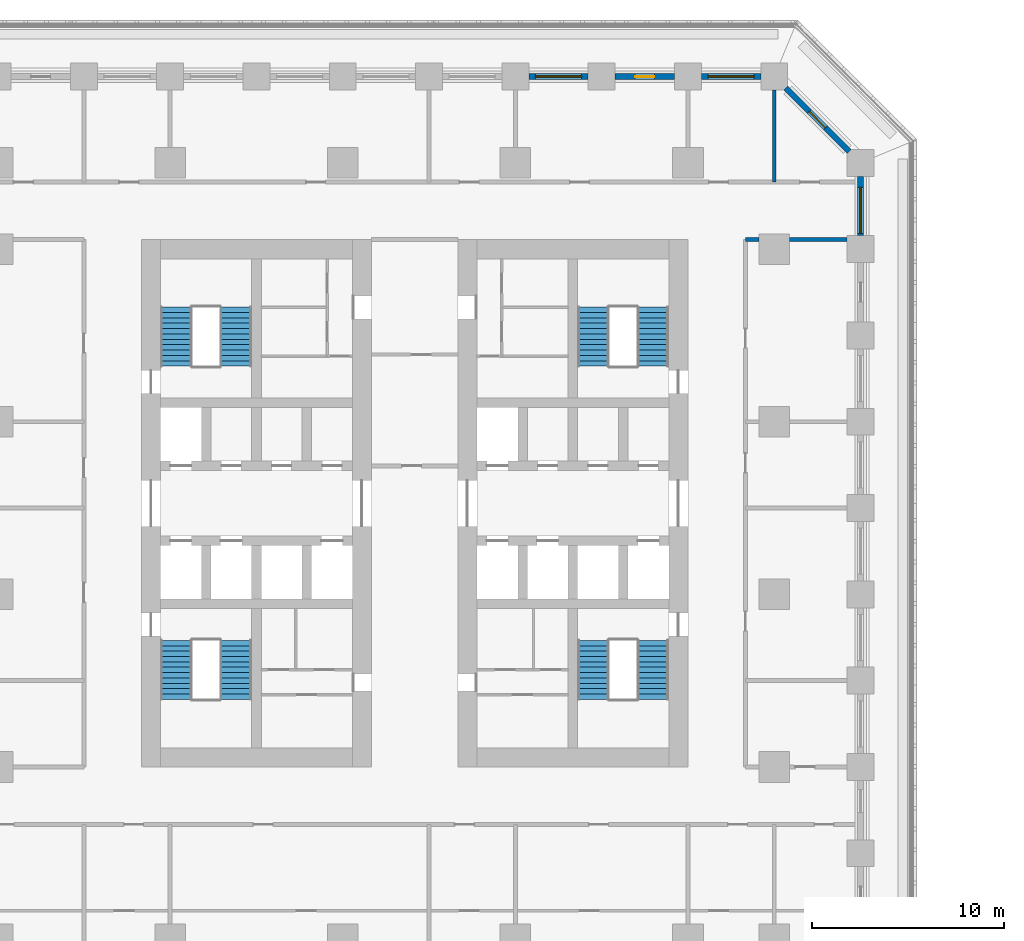
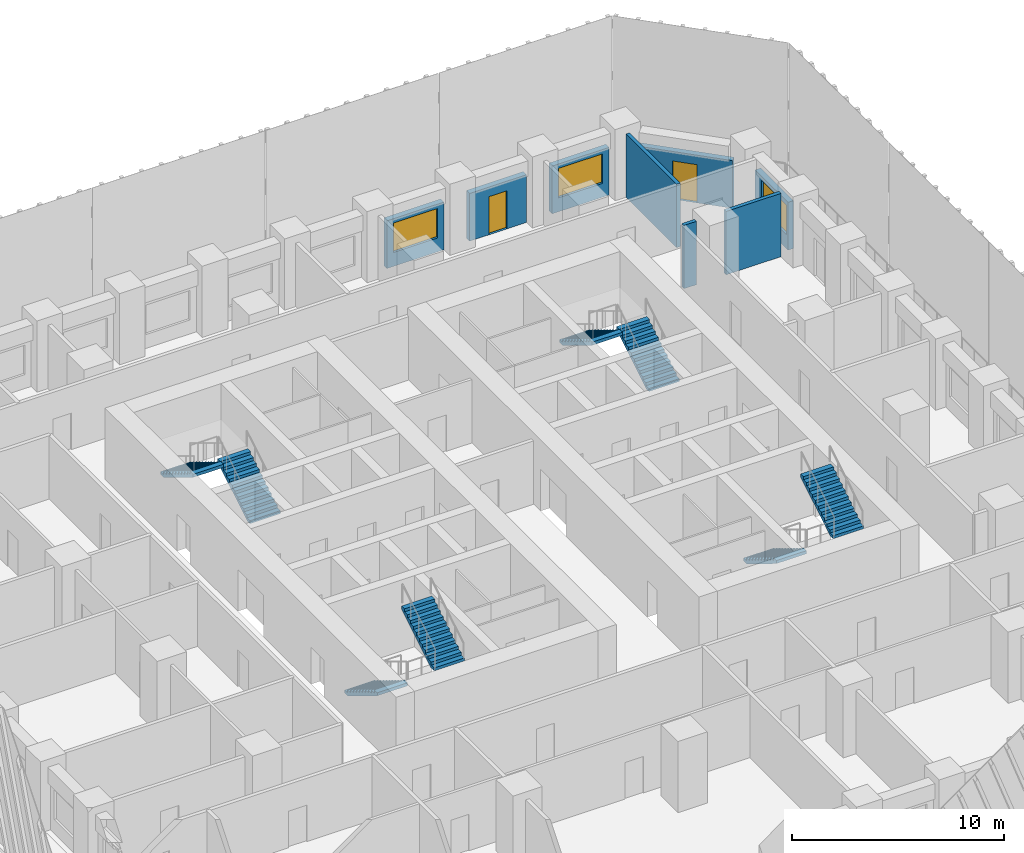
# One storey, part 9 of 15: 8 stair flights, 8 walls, 3 windows, 2 doors, 5 openings, 4 elements without a shape of their own.
"""IFC4 building model written with IfcOpenShell, lengths in metres."""

from ifc_helpers import new_model, si_unit, direction, frame, frame_2d, origin, place, context, subcontext, project, spatial, polyline, rectangle, outline, extrude, material, layer, layer_set, type_object, element, fill, aggregate, save


model = new_model("IFC4")

# Units and contexts
model_context = context("Model", 3, precision=1e-05, world=origin(), true_north=direction((0.0, 1.0)))
body_context = subcontext(model_context, "Body", "Model", "MODEL_VIEW")
ifc_project = project(units=[si_unit("LENGTHUNIT", "METRE"), si_unit("AREAUNIT", "SQUARE_METRE"), si_unit("VOLUMEUNIT", "CUBIC_METRE"), si_unit("PLANEANGLEUNIT", "RADIAN"), si_unit("MASSUNIT", "GRAM", prefix="KILO")], contexts=[model_context])

# Site, building, storey
site_placement = place(None, origin())
site = spatial("IfcSite", under=ifc_project, at=site_placement, CompositionType="ELEMENT")
building_placement = place(site_placement, origin())
building = spatial("IfcBuilding", under=site, at=building_placement, Name="Corbel Stack Research Tower", CompositionType="ELEMENT")
storey_placement = place(building_placement, frame((0.0, 0.0, 23.60009765625)))
storey = spatial("IfcBuildingStorey", under=building, at=storey_placement, Name="L05", CompositionType="ELEMENT", Elevation=23.60009765625)

# Walls
ifc_material_1 = material(Name="Fire-rated gypsum board partition on steel studs", Category="steel")
ifc_layer_1 = layer(ifc_material_1, 0.199951171875)
ifc_layer_set_1 = layer_set([ifc_layer_1], Name="Fire-rated gypsum board partition on steel studs")
wall_type_1 = type_object("IfcWallType", Name="Fire-rated partition 200 EI 60", PredefinedType="PARTITIONING", material=ifc_layer_set_1)
wall_1_placement = place(storey_placement, frame((22.5, 21.5, 0.0), z_axis=(0.0, 0.0, 1.0), x_axis=(0.0, 1.0, 0.0)))
element("IfcWall", 1, at=wall_1_placement, inside=storey, type_object=wall_type_1, Name="Partition L05-023", PredefinedType="PARTITIONING", context=body_context, shape_type="SweptSolid", body=[
    extrude(rectangle(XDim=4.800048828125, YDim=0.199951171875, at=frame_2d((2.39990234375, 0.0))), origin(), (0.0, 0.0, 1.0), 3.64990234375),
])
wall_2_placement = place(storey_placement, frame((21.0, 18.5, 0.0), z_axis=(0.0, 0.0, 1.0), x_axis=(1.0, 0.0, 0.0)))
element("IfcWall", 2, at=wall_2_placement, inside=storey, type_object=wall_type_1, Name="Partition L05-043", PredefinedType="PARTITIONING", context=body_context, shape_type="SweptSolid", body=[
    extrude(rectangle(XDim=0.699951171875, YDim=0.199951171875, at=frame_2d((0.35009765625, 0.0))), origin(), (0.0, 0.0, 1.0), 3.64990234375),
])
wall_3_placement = place(storey_placement, frame((23.300048828125, 18.5, 0.0), z_axis=(0.0, 0.0, 1.0), x_axis=(1.0, 0.0, 0.0)))
element("IfcWall", 3, at=wall_3_placement, inside=storey, type_object=wall_type_1, Name="Partition L05-044", PredefinedType="PARTITIONING", context=body_context, shape_type="SweptSolid", body=[
    extrude(rectangle(XDim=3.0, YDim=0.199951171875, at=frame_2d((1.5, 0.0))), origin(), (0.0, 0.0, 1.0), 3.64990234375),
])

# Wall, opening, window
ifc_material_2 = material(Name="Concrete C45/55", Category="concrete")
ifc_layer_2 = layer(ifc_material_2, 0.300048828125)
ifc_layer_set_2 = layer_set([ifc_layer_2], Name="Concrete C45/55")
wall_type_2 = type_object("IfcWallType", Name="Terracotta-faced concrete wall 300", PredefinedType="SOLIDWALL", material=ifc_layer_set_2)
wall_4_placement = place(storey_placement, frame((27.0, 21.800048828125, 0.0), z_axis=(0.0, 0.0, 1.0), x_axis=(0.0, -1.0, 0.0)))
wall_4 = element("IfcWall", 4, at=wall_4_placement, inside=storey, type_object=wall_type_2, Name="Facade wall L05 E10", PredefinedType="SOLIDWALL", context=body_context, shape_type="SweptSolid", body=[
    extrude(rectangle(XDim=3.10009765625, YDim=0.300048828125, at=frame_2d((1.550048828125, 0.0))), origin(), (0.0, 0.0, 1.0), 2.75),
])
opening_1_placement = place(wall_4_placement, frame((0.574951171875, 0.0, 0.800048828125)))
opening_1 = element("IfcOpeningElement", 5, at=opening_1_placement, cuts=wall_4, Name="Opening W1", PredefinedType="OPENING", context=body_context, shape_type="SweptSolid", body=[
    extrude(rectangle(XDim=2.39990234375, YDim=1.699951171875, at=frame_2d((1.199951171875, 0.85009765625))), frame((0.0, 0.159912109375, 0.0), z_axis=(0.0, -1.0, 0.0), x_axis=(1.0, 0.0, 0.0)), (0.0, 0.0, 1.0), 0.320068359375),
])
ifc_material_3 = material(Name="Aluminium frame, clear double glazing", Category="aluminium")
window_type = type_object("IfcWindowType", Name="Window W1 2400 x 1700", PartitioningType="SINGLE_PANEL", PredefinedType="WINDOW", material=ifc_material_3)
window_1_placement = place(opening_1_placement, origin())
window_1 = element("IfcWindow", 6, at=window_1_placement, inside=storey, type_object=window_type, Name="Window W1 L05 E10", OverallHeight=1.699951171875, OverallWidth=2.39990234375, PartitioningType="SINGLE_PANEL", PredefinedType="WINDOW", context=body_context, shape_type="SweptSolid", body=[
    extrude(rectangle(XDim=2.39990234375, YDim=1.699951171875, at=frame_2d((1.199951171875, 0.85009765625))), frame((0.0, 0.030029296875, 0.0), z_axis=(0.0, -1.0, 0.0), x_axis=(1.0, 0.0, 0.0)), (0.0, 0.0, 1.0), 0.06005859375),
])
fill(opening_1, window_1)

# Wall, opening, door
wall_5_placement = place(storey_placement, frame((23.093994140625, 26.406005859375, 0.0), z_axis=(0.0, 0.0, 1.0), x_axis=(0.707106781187, -0.707106781187, 0.0)))
wall_5 = element("IfcWall", 7, at=wall_5_placement, inside=storey, type_object=wall_type_2, Name="Facade wall L05 NE01", PredefinedType="SOLIDWALL", context=body_context, shape_type="SweptSolid", body=[
    extrude(rectangle(XDim=4.683837890625, YDim=0.300048828125, at=frame_2d((2.341796875, 0.0))), origin(), (0.0, 0.0, 1.0), 2.75),
])
opening_2_placement = place(wall_5_placement, frame((1.741943359375, 0.0, 0.0)))
opening_2 = element("IfcOpeningElement", 8, at=opening_2_placement, cuts=wall_5, Name="Opening L05-B06", PredefinedType="OPENING", context=body_context, shape_type="SweptSolid", body=[
    extrude(rectangle(XDim=1.199951171875, YDim=2.199951171875, at=frame_2d((0.60009765625, 1.10009765625))), frame((0.0, 0.159912109375, 0.0), z_axis=(0.0, -1.0, 0.0), x_axis=(1.0, 0.0, 0.0)), (0.0, 0.0, 1.0), 0.320068359375),
])
ifc_material_4 = material(Name="Aluminium frame, clear double glazing", Category="aluminium")
door_type_1 = type_object("IfcDoorType", Name="Balcony door BD2 1200 x 2200", OperationType="NOTDEFINED", PredefinedType="DOOR", material=ifc_material_4)
door_1_placement = place(opening_2_placement, origin())
door_1 = element("IfcDoor", 9, at=door_1_placement, inside=storey, type_object=door_type_1, Name="Balcony door L05-B06", OperationType="SINGLE_SWING_RIGHT", OverallHeight=2.199951171875, OverallWidth=1.199951171875, PredefinedType="DOOR", context=body_context, shape_type="SweptSolid", body=[
    extrude(rectangle(XDim=1.199951171875, YDim=2.199951171875, at=frame_2d((0.60009765625, 1.10009765625))), frame((0.0, 0.02490234375, 0.0), z_axis=(0.0, -1.0, 0.0), x_axis=(1.0, 0.0, 0.0)), (0.0, 0.0, 1.0), 0.050048828125),
])
fill(opening_2, door_1)

# Wall, opening, window
wall_6_placement = place(storey_placement, frame((18.699951171875, 27.0, 0.0), z_axis=(0.0, 0.0, 1.0), x_axis=(1.0, 0.0, 0.0)))
wall_6 = element("IfcWall", 10, at=wall_6_placement, inside=storey, type_object=wall_type_2, Name="Facade wall L05 N01", PredefinedType="SOLIDWALL", context=body_context, shape_type="SweptSolid", body=[
    extrude(rectangle(XDim=3.10009765625, YDim=0.300048828125, at=frame_2d((1.550048828125, 0.0))), origin(), (0.0, 0.0, 1.0), 2.75),
])
opening_3_placement = place(wall_6_placement, frame((0.35009765625, 0.0, 0.800048828125)))
opening_3 = element("IfcOpeningElement", 11, at=opening_3_placement, cuts=wall_6, Name="Opening W1", PredefinedType="OPENING", context=body_context, shape_type="SweptSolid", body=[
    extrude(rectangle(XDim=2.39990234375, YDim=1.699951171875, at=frame_2d((1.199951171875, 0.85009765625))), frame((0.0, 0.159912109375, 0.0), z_axis=(0.0, -1.0, 0.0), x_axis=(1.0, 0.0, 0.0)), (0.0, 0.0, 1.0), 0.320068359375),
])
window_2_placement = place(opening_3_placement, origin())
window_2 = element("IfcWindow", 12, at=window_2_placement, inside=storey, type_object=window_type, Name="Window W1 L05 N01", OverallHeight=1.699951171875, OverallWidth=2.39990234375, PartitioningType="SINGLE_PANEL", PredefinedType="WINDOW", context=body_context, shape_type="SweptSolid", body=[
    extrude(rectangle(XDim=2.39990234375, YDim=1.699951171875, at=frame_2d((1.199951171875, 0.85009765625))), frame((0.0, 0.030029296875, 0.0), z_axis=(0.0, -1.0, 0.0), x_axis=(1.0, 0.0, 0.0)), (0.0, 0.0, 1.0), 0.06005859375),
])
fill(opening_3, window_2)

# Wall, opening, door
wall_7_placement = place(storey_placement, frame((14.199951171875, 27.0, 0.0), z_axis=(0.0, 0.0, 1.0), x_axis=(1.0, 0.0, 0.0)))
wall_7 = element("IfcWall", 13, at=wall_7_placement, inside=storey, type_object=wall_type_2, Name="Facade wall L05 N02", PredefinedType="SOLIDWALL", context=body_context, shape_type="SweptSolid", body=[
    extrude(rectangle(XDim=3.10009765625, YDim=0.300048828125, at=frame_2d((1.550048828125, 0.0))), origin(), (0.0, 0.0, 1.0), 2.75),
])
opening_4_placement = place(wall_7_placement, frame((1.050048828125, 0.0, 0.0)))
opening_4 = element("IfcOpeningElement", 14, at=opening_4_placement, cuts=wall_7, Name="Opening L05-B07", PredefinedType="OPENING", context=body_context, shape_type="SweptSolid", body=[
    extrude(rectangle(XDim=1.0, YDim=2.199951171875, at=frame_2d((0.5, 1.10009765625))), frame((0.0, 0.159912109375, 0.0), z_axis=(0.0, -1.0, 0.0), x_axis=(1.0, 0.0, 0.0)), (0.0, 0.0, 1.0), 0.320068359375),
])
ifc_material_5 = material(Name="Aluminium frame, clear double glazing", Category="aluminium")
door_type_2 = type_object("IfcDoorType", Name="Balcony door BD1 1000 x 2200", OperationType="NOTDEFINED", PredefinedType="DOOR", material=ifc_material_5)
door_2_placement = place(opening_4_placement, origin())
door_2 = element("IfcDoor", 15, at=door_2_placement, inside=storey, type_object=door_type_2, Name="Balcony door L05-B07", OperationType="SINGLE_SWING_LEFT", OverallHeight=2.199951171875, OverallWidth=1.0, PredefinedType="DOOR", context=body_context, shape_type="SweptSolid", body=[
    extrude(rectangle(XDim=1.0, YDim=2.199951171875, at=frame_2d((0.5, 1.10009765625))), frame((0.0, 0.02490234375, 0.0), z_axis=(0.0, -1.0, 0.0), x_axis=(1.0, 0.0, 0.0)), (0.0, 0.0, 1.0), 0.050048828125),
])
fill(opening_4, door_2)

# Wall, opening, window
wall_8_placement = place(storey_placement, frame((9.699951171875, 27.0, 0.0), z_axis=(0.0, 0.0, 1.0), x_axis=(1.0, 0.0, 0.0)))
wall_8 = element("IfcWall", 16, at=wall_8_placement, inside=storey, type_object=wall_type_2, Name="Facade wall L05 N03", PredefinedType="SOLIDWALL", context=body_context, shape_type="SweptSolid", body=[
    extrude(rectangle(XDim=3.10009765625, YDim=0.300048828125, at=frame_2d((1.550048828125, 0.0))), origin(), (0.0, 0.0, 1.0), 2.75),
])
opening_5_placement = place(wall_8_placement, frame((0.35009765625, 0.0, 0.800048828125)))
opening_5 = element("IfcOpeningElement", 17, at=opening_5_placement, cuts=wall_8, Name="Opening W1", PredefinedType="OPENING", context=body_context, shape_type="SweptSolid", body=[
    extrude(rectangle(XDim=2.39990234375, YDim=1.699951171875, at=frame_2d((1.199951171875, 0.85009765625))), frame((0.0, 0.159912109375, 0.0), z_axis=(0.0, -1.0, 0.0), x_axis=(1.0, 0.0, 0.0)), (0.0, 0.0, 1.0), 0.320068359375),
])
window_3_placement = place(opening_5_placement, origin())
window_3 = element("IfcWindow", 18, at=window_3_placement, inside=storey, type_object=window_type, Name="Window W1 L05 N03", OverallHeight=1.699951171875, OverallWidth=2.39990234375, PartitioningType="SINGLE_PANEL", PredefinedType="WINDOW", context=body_context, shape_type="SweptSolid", body=[
    extrude(rectangle(XDim=2.39990234375, YDim=1.699951171875, at=frame_2d((1.199951171875, 0.85009765625))), frame((0.0, 0.030029296875, 0.0), z_axis=(0.0, -1.0, 0.0), x_axis=(1.0, 0.0, 0.0)), (0.0, 0.0, 1.0), 0.06005859375),
])
fill(opening_5, window_3)

# Stair, stair flights
ifc_material_6 = material(Name="Concrete C40/50", Category="concrete")
stair_type = type_object("IfcStairType", Name="Exit stair 24 risers", PredefinedType="HALF_TURN_STAIR", material=ifc_material_6)
stair_1_placement = place(storey_placement, origin())
stair_1 = element("IfcStair", 19, at=stair_1_placement, inside=storey, type_object=stair_type, Name="L05 Exit stair ST-W1", PredefinedType="HALF_TURN_STAIR")
ifc_material_7 = material(Name="Concrete C40/50", Category="concrete")
stair_flight_type = type_object("IfcStairFlightType", Name="Stair flight 12 risers", PredefinedType="STRAIGHT", material=ifc_material_7)
stair_flight_1_placement = place(storey_placement, frame((-8.675048828125, -2.39990234375, 0.0), z_axis=(0.0, 0.0, 1.0), x_axis=(0.0, -1.0, 0.0)))
stair_flight_1 = element("IfcStairFlight", 20, at=stair_flight_1_placement, type_object=stair_flight_type, Name="ST-W1 flight 1", NumberOfRisers=12, NumberOfTreads=11, PredefinedType="STRAIGHT", RiserHeight=0.170833333, TreadLength=0.28, context=body_context, shape_type="SweptSolid", body=[
    extrude(outline(polyline([(0.0, 0.0), (0.0, 0.1708984375), (0.280029296875, 0.1708984375), (0.280029296875, 0.341552734375), (0.56005859375, 0.341552734375), (0.56005859375, 0.512451171875), (0.840087890625, 0.512451171875), (0.840087890625, 0.683349609375), (1.1201171875, 0.683349609375), (1.1201171875, 0.854248046875), (1.39990234375, 0.854248046875), (1.39990234375, 1.02490234375), (1.679931640625, 1.02490234375), (1.679931640625, 1.19580078125), (1.9599609375, 1.19580078125), (1.9599609375, 1.36669921875), (2.239990234375, 1.36669921875), (2.239990234375, 1.53759765625), (2.52001953125, 1.53759765625), (2.52001953125, 1.708251953125), (2.800048828125, 1.708251953125), (2.800048828125, 1.879150390625), (3.080078125, 1.879150390625), (3.080078125, 2.050048828125), (3.080078125, 1.70361328125), (0.287841796875, 0.0), (0.0, 0.0)])), frame((0.0, 0.824951171875, 0.0), z_axis=(0.0, -1.0, 0.0), x_axis=(1.0, 0.0, 0.0)), (0.0, 0.0, 1.0), 1.64990234375),
])
stair_flight_2_placement = place(storey_placement, frame((-5.574951171875, -5.47998046875, 2.0498046875), z_axis=(0.0, 0.0, 1.0), x_axis=(0.0, 1.0, 0.0)))
stair_flight_2 = element("IfcStairFlight", 21, at=stair_flight_2_placement, type_object=stair_flight_type, Name="ST-W1 flight 2", NumberOfRisers=12, NumberOfTreads=11, PredefinedType="STRAIGHT", RiserHeight=0.170833333, TreadLength=0.28, context=body_context, shape_type="SweptSolid", body=[
    extrude(outline(polyline([(0.0, 0.0), (0.0, 0.1708984375), (0.280029296875, 0.1708984375), (0.280029296875, 0.341552734375), (0.56005859375, 0.341552734375), (0.56005859375, 0.512451171875), (0.840087890625, 0.512451171875), (0.840087890625, 0.683349609375), (1.1201171875, 0.683349609375), (1.1201171875, 0.854248046875), (1.39990234375, 0.854248046875), (1.39990234375, 1.02490234375), (1.679931640625, 1.02490234375), (1.679931640625, 1.19580078125), (1.9599609375, 1.19580078125), (1.9599609375, 1.36669921875), (2.239990234375, 1.36669921875), (2.239990234375, 1.53759765625), (2.52001953125, 1.53759765625), (2.52001953125, 1.708251953125), (2.800048828125, 1.708251953125), (2.800048828125, 1.879150390625), (3.080078125, 1.879150390625), (3.080078125, 2.050048828125), (3.080078125, 1.70361328125), (0.287841796875, 0.0), (0.0, 0.0)])), frame((0.0, 0.824951171875, 0.0), z_axis=(0.0, -1.0, 0.0), x_axis=(1.0, 0.0, 0.0)), (0.0, 0.0, 1.0), 1.64990234375),
])
aggregate(stair_1, [stair_flight_1, stair_flight_2])

stair_2_placement = place(storey_placement, origin())
stair_2 = element("IfcStair", 22, at=stair_2_placement, inside=storey, type_object=stair_type, Name="L05 Exit stair ST-W2", PredefinedType="HALF_TURN_STAIR")
stair_flight_3_placement = place(storey_placement, frame((-5.574951171875, 11.89990234375, 0.0), z_axis=(0.0, 0.0, 1.0), x_axis=(0.0, 1.0, 0.0)))
stair_flight_3 = element("IfcStairFlight", 23, at=stair_flight_3_placement, type_object=stair_flight_type, Name="ST-W2 flight 1", NumberOfRisers=12, NumberOfTreads=11, PredefinedType="STRAIGHT", RiserHeight=0.170833333, TreadLength=0.28, context=body_context, shape_type="SweptSolid", body=[
    extrude(outline(polyline([(0.0, 0.0), (0.0, 0.1708984375), (0.280029296875, 0.1708984375), (0.280029296875, 0.341552734375), (0.56005859375, 0.341552734375), (0.56005859375, 0.512451171875), (0.840087890625, 0.512451171875), (0.840087890625, 0.683349609375), (1.1201171875, 0.683349609375), (1.1201171875, 0.854248046875), (1.39990234375, 0.854248046875), (1.39990234375, 1.02490234375), (1.679931640625, 1.02490234375), (1.679931640625, 1.19580078125), (1.9599609375, 1.19580078125), (1.9599609375, 1.36669921875), (2.239990234375, 1.36669921875), (2.239990234375, 1.53759765625), (2.52001953125, 1.53759765625), (2.52001953125, 1.708251953125), (2.800048828125, 1.708251953125), (2.800048828125, 1.879150390625), (3.080078125, 1.879150390625), (3.080078125, 2.050048828125), (3.080078125, 1.70361328125), (0.287841796875, 0.0), (0.0, 0.0)])), frame((0.0, 0.824951171875, 0.0), z_axis=(0.0, -1.0, 0.0), x_axis=(1.0, 0.0, 0.0)), (0.0, 0.0, 1.0), 1.64990234375),
])
stair_flight_4_placement = place(storey_placement, frame((-8.675048828125, 14.97998046875, 2.0498046875), z_axis=(0.0, 0.0, 1.0), x_axis=(0.0, -1.0, 0.0)))
stair_flight_4 = element("IfcStairFlight", 24, at=stair_flight_4_placement, type_object=stair_flight_type, Name="ST-W2 flight 2", NumberOfRisers=12, NumberOfTreads=11, PredefinedType="STRAIGHT", RiserHeight=0.170833333, TreadLength=0.28, context=body_context, shape_type="SweptSolid", body=[
    extrude(outline(polyline([(0.0, 0.0), (0.0, 0.1708984375), (0.280029296875, 0.1708984375), (0.280029296875, 0.341552734375), (0.56005859375, 0.341552734375), (0.56005859375, 0.512451171875), (0.840087890625, 0.512451171875), (0.840087890625, 0.683349609375), (1.1201171875, 0.683349609375), (1.1201171875, 0.854248046875), (1.39990234375, 0.854248046875), (1.39990234375, 1.02490234375), (1.679931640625, 1.02490234375), (1.679931640625, 1.19580078125), (1.9599609375, 1.19580078125), (1.9599609375, 1.36669921875), (2.239990234375, 1.36669921875), (2.239990234375, 1.53759765625), (2.52001953125, 1.53759765625), (2.52001953125, 1.708251953125), (2.800048828125, 1.708251953125), (2.800048828125, 1.879150390625), (3.080078125, 1.879150390625), (3.080078125, 2.050048828125), (3.080078125, 1.70361328125), (0.287841796875, 0.0), (0.0, 0.0)])), frame((0.0, 0.824951171875, 0.0), z_axis=(0.0, -1.0, 0.0), x_axis=(1.0, 0.0, 0.0)), (0.0, 0.0, 1.0), 1.64990234375),
])
aggregate(stair_2, [stair_flight_3, stair_flight_4])

stair_3_placement = place(storey_placement, origin())
stair_3 = element("IfcStair", 25, at=stair_3_placement, inside=storey, type_object=stair_type, Name="L05 Exit stair ST-E1", PredefinedType="HALF_TURN_STAIR")
stair_flight_5_placement = place(storey_placement, frame((13.074951171875, -2.39990234375, 0.0), z_axis=(0.0, 0.0, 1.0), x_axis=(0.0, -1.0, 0.0)))
stair_flight_5 = element("IfcStairFlight", 26, at=stair_flight_5_placement, type_object=stair_flight_type, Name="ST-E1 flight 1", NumberOfRisers=12, NumberOfTreads=11, PredefinedType="STRAIGHT", RiserHeight=0.170833333, TreadLength=0.28, context=body_context, shape_type="SweptSolid", body=[
    extrude(outline(polyline([(0.0, 0.0), (0.0, 0.1708984375), (0.280029296875, 0.1708984375), (0.280029296875, 0.341552734375), (0.56005859375, 0.341552734375), (0.56005859375, 0.512451171875), (0.840087890625, 0.512451171875), (0.840087890625, 0.683349609375), (1.1201171875, 0.683349609375), (1.1201171875, 0.854248046875), (1.39990234375, 0.854248046875), (1.39990234375, 1.02490234375), (1.679931640625, 1.02490234375), (1.679931640625, 1.19580078125), (1.9599609375, 1.19580078125), (1.9599609375, 1.36669921875), (2.239990234375, 1.36669921875), (2.239990234375, 1.53759765625), (2.52001953125, 1.53759765625), (2.52001953125, 1.708251953125), (2.800048828125, 1.708251953125), (2.800048828125, 1.879150390625), (3.080078125, 1.879150390625), (3.080078125, 2.050048828125), (3.080078125, 1.70361328125), (0.287841796875, 0.0), (0.0, 0.0)])), frame((0.0, 0.824951171875, 0.0), z_axis=(0.0, -1.0, 0.0), x_axis=(1.0, 0.0, 0.0)), (0.0, 0.0, 1.0), 1.64990234375),
])
stair_flight_6_placement = place(storey_placement, frame((16.175048828125, -5.47998046875, 2.0498046875), z_axis=(0.0, 0.0, 1.0), x_axis=(0.0, 1.0, 0.0)))
stair_flight_6 = element("IfcStairFlight", 27, at=stair_flight_6_placement, type_object=stair_flight_type, Name="ST-E1 flight 2", NumberOfRisers=12, NumberOfTreads=11, PredefinedType="STRAIGHT", RiserHeight=0.170833333, TreadLength=0.28, context=body_context, shape_type="SweptSolid", body=[
    extrude(outline(polyline([(0.0, 0.0), (0.0, 0.1708984375), (0.280029296875, 0.1708984375), (0.280029296875, 0.341552734375), (0.56005859375, 0.341552734375), (0.56005859375, 0.512451171875), (0.840087890625, 0.512451171875), (0.840087890625, 0.683349609375), (1.1201171875, 0.683349609375), (1.1201171875, 0.854248046875), (1.39990234375, 0.854248046875), (1.39990234375, 1.02490234375), (1.679931640625, 1.02490234375), (1.679931640625, 1.19580078125), (1.9599609375, 1.19580078125), (1.9599609375, 1.36669921875), (2.239990234375, 1.36669921875), (2.239990234375, 1.53759765625), (2.52001953125, 1.53759765625), (2.52001953125, 1.708251953125), (2.800048828125, 1.708251953125), (2.800048828125, 1.879150390625), (3.080078125, 1.879150390625), (3.080078125, 2.050048828125), (3.080078125, 1.70361328125), (0.287841796875, 0.0), (0.0, 0.0)])), frame((0.0, 0.824951171875, 0.0), z_axis=(0.0, -1.0, 0.0), x_axis=(1.0, 0.0, 0.0)), (0.0, 0.0, 1.0), 1.64990234375),
])
aggregate(stair_3, [stair_flight_5, stair_flight_6])

stair_4_placement = place(storey_placement, origin())
stair_4 = element("IfcStair", 28, at=stair_4_placement, inside=storey, type_object=stair_type, Name="L05 Exit stair ST-E2", PredefinedType="HALF_TURN_STAIR")
stair_flight_7_placement = place(storey_placement, frame((16.175048828125, 11.89990234375, 0.0), z_axis=(0.0, 0.0, 1.0), x_axis=(0.0, 1.0, 0.0)))
stair_flight_7 = element("IfcStairFlight", 29, at=stair_flight_7_placement, type_object=stair_flight_type, Name="ST-E2 flight 1", NumberOfRisers=12, NumberOfTreads=11, PredefinedType="STRAIGHT", RiserHeight=0.170833333, TreadLength=0.28, context=body_context, shape_type="SweptSolid", body=[
    extrude(outline(polyline([(0.0, 0.0), (0.0, 0.1708984375), (0.280029296875, 0.1708984375), (0.280029296875, 0.341552734375), (0.56005859375, 0.341552734375), (0.56005859375, 0.512451171875), (0.840087890625, 0.512451171875), (0.840087890625, 0.683349609375), (1.1201171875, 0.683349609375), (1.1201171875, 0.854248046875), (1.39990234375, 0.854248046875), (1.39990234375, 1.02490234375), (1.679931640625, 1.02490234375), (1.679931640625, 1.19580078125), (1.9599609375, 1.19580078125), (1.9599609375, 1.36669921875), (2.239990234375, 1.36669921875), (2.239990234375, 1.53759765625), (2.52001953125, 1.53759765625), (2.52001953125, 1.708251953125), (2.800048828125, 1.708251953125), (2.800048828125, 1.879150390625), (3.080078125, 1.879150390625), (3.080078125, 2.050048828125), (3.080078125, 1.70361328125), (0.287841796875, 0.0), (0.0, 0.0)])), frame((0.0, 0.824951171875, 0.0), z_axis=(0.0, -1.0, 0.0), x_axis=(1.0, 0.0, 0.0)), (0.0, 0.0, 1.0), 1.64990234375),
])
stair_flight_8_placement = place(storey_placement, frame((13.074951171875, 14.97998046875, 2.0498046875), z_axis=(0.0, 0.0, 1.0), x_axis=(0.0, -1.0, 0.0)))
stair_flight_8 = element("IfcStairFlight", 30, at=stair_flight_8_placement, type_object=stair_flight_type, Name="ST-E2 flight 2", NumberOfRisers=12, NumberOfTreads=11, PredefinedType="STRAIGHT", RiserHeight=0.170833333, TreadLength=0.28, context=body_context, shape_type="SweptSolid", body=[
    extrude(outline(polyline([(0.0, 0.0), (0.0, 0.1708984375), (0.280029296875, 0.1708984375), (0.280029296875, 0.341552734375), (0.56005859375, 0.341552734375), (0.56005859375, 0.512451171875), (0.840087890625, 0.512451171875), (0.840087890625, 0.683349609375), (1.1201171875, 0.683349609375), (1.1201171875, 0.854248046875), (1.39990234375, 0.854248046875), (1.39990234375, 1.02490234375), (1.679931640625, 1.02490234375), (1.679931640625, 1.19580078125), (1.9599609375, 1.19580078125), (1.9599609375, 1.36669921875), (2.239990234375, 1.36669921875), (2.239990234375, 1.53759765625), (2.52001953125, 1.53759765625), (2.52001953125, 1.708251953125), (2.800048828125, 1.708251953125), (2.800048828125, 1.879150390625), (3.080078125, 1.879150390625), (3.080078125, 2.050048828125), (3.080078125, 1.70361328125), (0.287841796875, 0.0), (0.0, 0.0)])), frame((0.0, 0.824951171875, 0.0), z_axis=(0.0, -1.0, 0.0), x_axis=(1.0, 0.0, 0.0)), (0.0, 0.0, 1.0), 1.64990234375),
])
aggregate(stair_4, [stair_flight_7, stair_flight_8])

save(model, "model.ifc")
